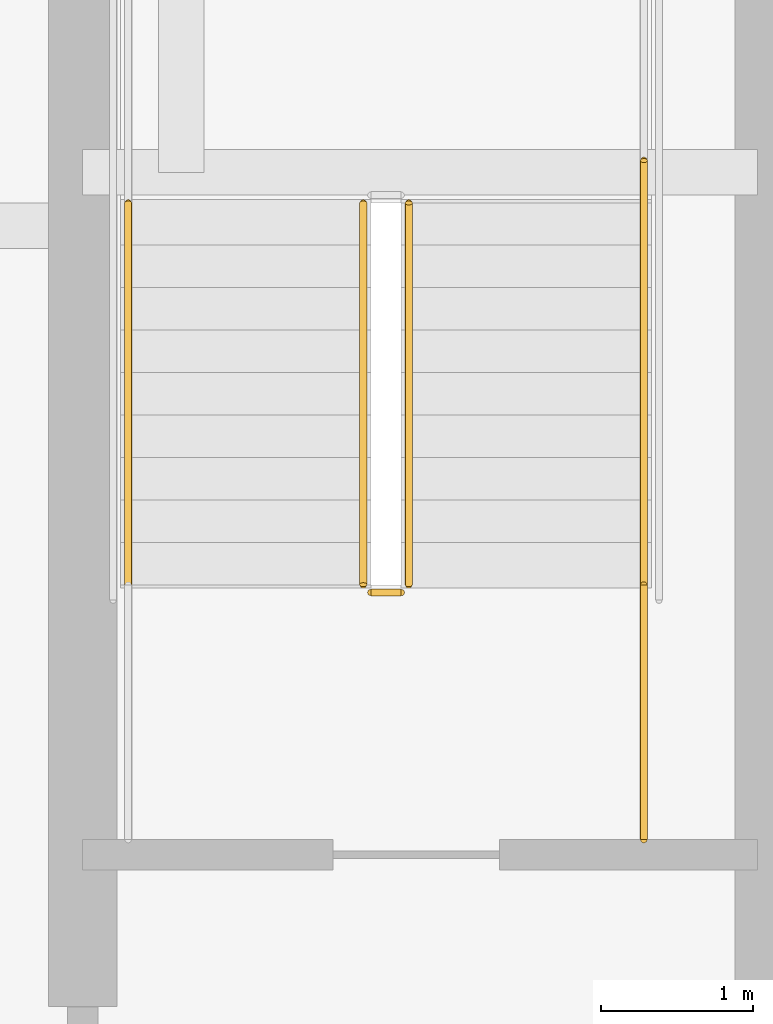
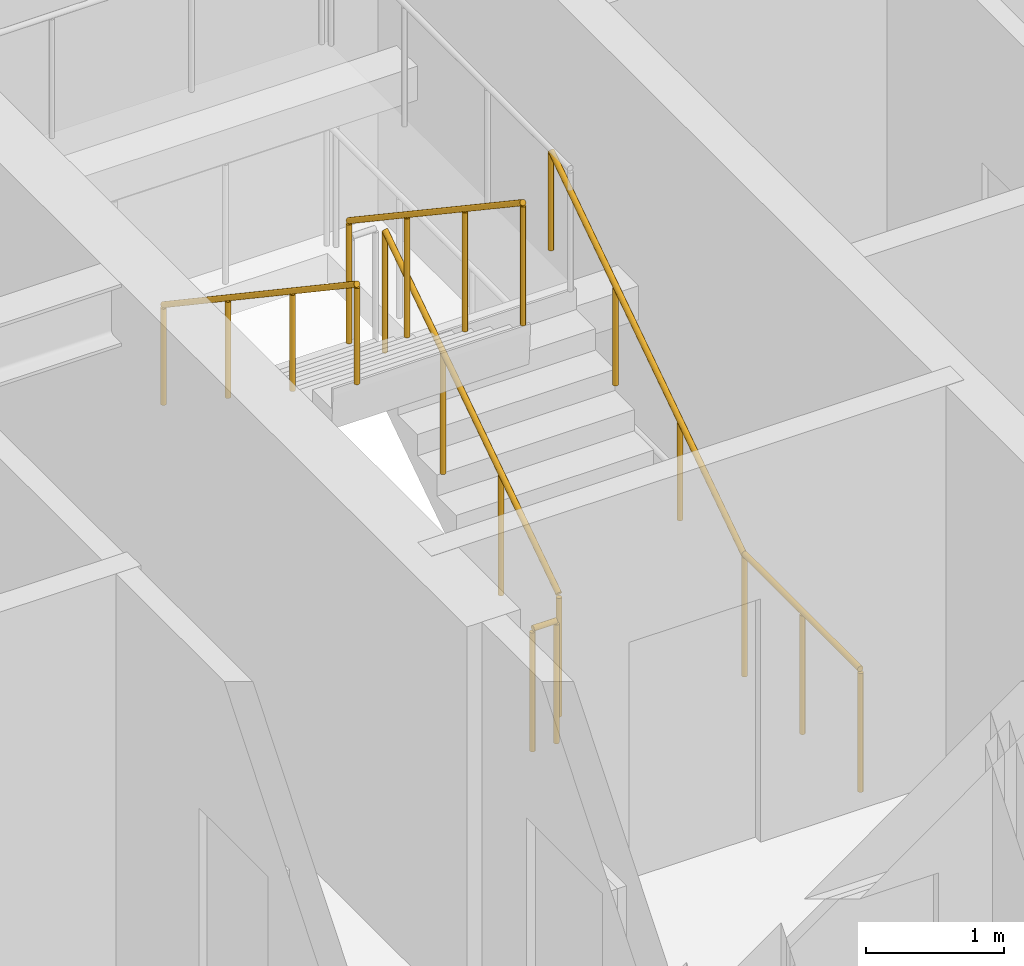
# One storey, part 34 of 39: 6 railings.
"""IFC4 building model written with IfcOpenShell, lengths in metres."""

from ifc_helpers import new_model, si_unit, direction, frame, origin, origin_2d, place, context, subcontext, project, spatial, circle, extrude, material, type_object, element, save


model = new_model("IFC4")

# Units and contexts
model_context = context("Model", 3, precision=1e-05, world=origin(), true_north=direction((0.0, 1.0)))
body_context = subcontext(model_context, "Body", "Model", "MODEL_VIEW")
ifc_project = project(units=[si_unit("LENGTHUNIT", "METRE"), si_unit("AREAUNIT", "SQUARE_METRE"), si_unit("VOLUMEUNIT", "CUBIC_METRE"), si_unit("PLANEANGLEUNIT", "RADIAN"), si_unit("MASSUNIT", "GRAM", prefix="KILO")], contexts=[model_context])

# Site, building, storey
site_placement = place(None, origin())
site = spatial("IfcSite", under=ifc_project, at=site_placement, CompositionType="ELEMENT")
building_placement = place(site_placement, origin())
building = spatial("IfcBuilding", under=site, at=building_placement, Name="Serunith Strait Residences", CompositionType="ELEMENT")
storey_placement = place(building_placement, frame((0.0, 0.0, 60.449951171875)))
storey = spatial("IfcBuildingStorey", under=building, at=storey_placement, Name="L14", CompositionType="ELEMENT", Elevation=60.449951171875)

# Railings
ifc_material = material(Name="Brushed stainless steel 316L", Category="steel")
railing_type_1 = type_object("IfcRailingType", Name="RLG-STAIR-GUARD", PredefinedType="BALUSTRADE", material=ifc_material)
railing_1_placement = place(storey_placement, frame((25.550048828125, 27.030029296875, 0.1875)))
element("IfcRailing", 1, at=railing_1_placement, inside=storey, type_object=railing_type_1, Name="L14 ST-1 stair guard 1", PredefinedType="BALUSTRADE", context=body_context, shape_type="SweptSolid", body=[
    extrude(circle(Radius=0.02392578125, at=origin_2d()), frame((0.0, 0.001708984375, 1.0771484375), z_axis=(0.0, 0.830909170722, 0.55640807867), x_axis=(-1.0, 0.0, 0.0)), (0.0, 0.0, 1.0), 3.02880859375),
    extrude(circle(Radius=0.02099609375, at=origin_2d()), origin(), (0.0, 0.0, 1.0), 1.050048828125),
    extrude(circle(Radius=0.02099609375, at=origin_2d()), frame((0.0, 0.840087890625, 0.5625)), (0.0, 0.0, 1.0), 1.050048828125),
    extrude(circle(Radius=0.02099609375, at=origin_2d()), frame((0.0, 1.679931640625, 1.125)), (0.0, 0.0, 1.0), 1.050048828125),
    extrude(circle(Radius=0.02099609375, at=origin_2d()), frame((0.0, 2.52001953125, 1.6875)), (0.0, 0.0, 1.0), 1.050048828125),
])
railing_2_placement = place(storey_placement, frame((25.25, 29.550048828125, 2.0625)))
element("IfcRailing", 2, at=railing_2_placement, inside=storey, type_object=railing_type_1, Name="L14 ST-1 stair guard 6", PredefinedType="BALUSTRADE", context=body_context, shape_type="SweptSolid", body=[
    extrude(circle(Radius=0.02392578125, at=origin_2d()), frame((0.0, -0.001708984375, 1.0771484375), z_axis=(0.0, -0.830909170722, 0.55640807867), x_axis=(1.0, 0.0, 0.0)), (0.0, 0.0, 1.0), 3.02880859375),
    extrude(circle(Radius=0.02099609375, at=origin_2d()), origin(), (0.0, 0.0, 1.0), 1.050048828125),
    extrude(circle(Radius=0.02099609375, at=origin_2d()), frame((0.0, -0.840087890625, 0.5625)), (0.0, 0.0, 1.0), 1.050048828125),
    extrude(circle(Radius=0.02099609375, at=origin_2d()), frame((0.0, -1.679931640625, 1.125)), (0.0, 0.0, 1.0), 1.050048828125),
    extrude(circle(Radius=0.02099609375, at=origin_2d()), frame((0.0, -2.52001953125, 1.6875)), (0.0, 0.0, 1.0), 1.050048828125),
])
railing_3_placement = place(storey_placement, frame((25.5, 26.97998046875, 0.0)))
element("IfcRailing", 3, at=railing_3_placement, inside=storey, type_object=railing_type_1, Name="L14 ST-1 stair guard 7", PredefinedType="BALUSTRADE", context=body_context, shape_type="SweptSolid", body=[
    extrude(circle(Radius=0.02392578125, at=origin_2d()), frame((-0.001953125, 0.0, 1.076171875), z_axis=(-1.0, 0.0, 0.0), x_axis=(0.0, -1.0, 0.0)), (0.0, 0.0, 1.0), 0.196044921875),
    extrude(circle(Radius=0.02099609375, at=origin_2d()), origin(), (0.0, 0.0, 1.0), 1.050048828125),
    extrude(circle(Radius=0.02099609375, at=origin_2d()), frame((-0.199951171875, 0.0, 0.0)), (0.0, 0.0, 1.0), 1.050048828125),
])
railing_4_placement = place(storey_placement, frame((27.10009765625, 25.35009765625, 0.0)))
element("IfcRailing", 4, at=railing_4_placement, inside=storey, type_object=railing_type_1, Name="L14 ST-1 stair guard 8", PredefinedType="BALUSTRADE", context=body_context, shape_type="SweptSolid", body=[
    extrude(circle(Radius=0.02392578125, at=origin_2d()), frame((0.0, 0.001953125, 1.076171875), z_axis=(0.0, 1.0, 0.0), x_axis=(-1.0, 0.0, 0.0)), (0.0, 0.0, 1.0), 1.676025390625),
    extrude(circle(Radius=0.02099609375, at=origin_2d()), origin(), (0.0, 0.0, 1.0), 1.050048828125),
    extrude(circle(Radius=0.02099609375, at=origin_2d()), frame((0.0, 0.83984375, 0.0)), (0.0, 0.0, 1.0), 1.050048828125),
    extrude(circle(Radius=0.02099609375, at=origin_2d()), frame((0.0, 1.679931640625, 0.0)), (0.0, 0.0, 1.0), 1.050048828125),
])
railing_type_2 = type_object("IfcRailingType", Name="RLG-STAIR-HR", PredefinedType="HANDRAIL", material=ifc_material)
railing_5_placement = place(storey_placement, frame((27.10009765625, 27.030029296875, 0.1875)))
element("IfcRailing", 5, at=railing_5_placement, inside=storey, type_object=railing_type_2, Name="L14 ST-1 stair handrail 1", PredefinedType="HANDRAIL", context=body_context, shape_type="SweptSolid", body=[
    extrude(circle(Radius=0.02392578125, at=origin_2d()), frame((0.0, 0.001708984375, 0.876953125), z_axis=(0.0, 0.830208209119, 0.557453432594), x_axis=(-1.0, 0.0, 0.0)), (0.0, 0.0, 1.0), 3.36865234375),
    extrude(circle(Radius=0.02099609375, at=origin_2d()), origin(), (0.0, 0.0, 1.0), 0.849853515625),
    extrude(circle(Radius=0.02099609375, at=origin_2d()), frame((0.0, 0.933349609375, 0.626708984375)), (0.0, 0.0, 1.0), 0.849853515625),
    extrude(circle(Radius=0.02099609375, at=origin_2d()), frame((0.0, 1.86669921875, 1.25341796875)), (0.0, 0.0, 1.0), 0.849853515625),
    extrude(circle(Radius=0.02099609375, at=origin_2d()), frame((0.0, 2.800048828125, 1.880126953125)), (0.0, 0.0, 1.0), 0.849853515625),
])
railing_6_placement = place(storey_placement, frame((23.699951171875, 29.550048828125, 2.0625)))
element("IfcRailing", 6, at=railing_6_placement, inside=storey, type_object=railing_type_2, Name="L14 ST-1 stair handrail 2", PredefinedType="HANDRAIL", context=body_context, shape_type="SweptSolid", body=[
    extrude(circle(Radius=0.02392578125, at=origin_2d()), frame((0.0, -0.001708984375, 0.876953125), z_axis=(0.0, -0.830208209119, 0.557453432594), x_axis=(1.0, 0.0, 0.0)), (0.0, 0.0, 1.0), 3.36865234375),
    extrude(circle(Radius=0.02099609375, at=origin_2d()), origin(), (0.0, 0.0, 1.0), 0.849853515625),
    extrude(circle(Radius=0.02099609375, at=origin_2d()), frame((0.0, -0.933349609375, 0.626708984375)), (0.0, 0.0, 1.0), 0.849853515625),
    extrude(circle(Radius=0.02099609375, at=origin_2d()), frame((0.0, -1.86669921875, 1.25341796875)), (0.0, 0.0, 1.0), 0.849853515625),
    extrude(circle(Radius=0.02099609375, at=origin_2d()), frame((0.0, -2.800048828125, 1.880126953125)), (0.0, 0.0, 1.0), 0.849853515625),
])

save(model, "model.ifc")
